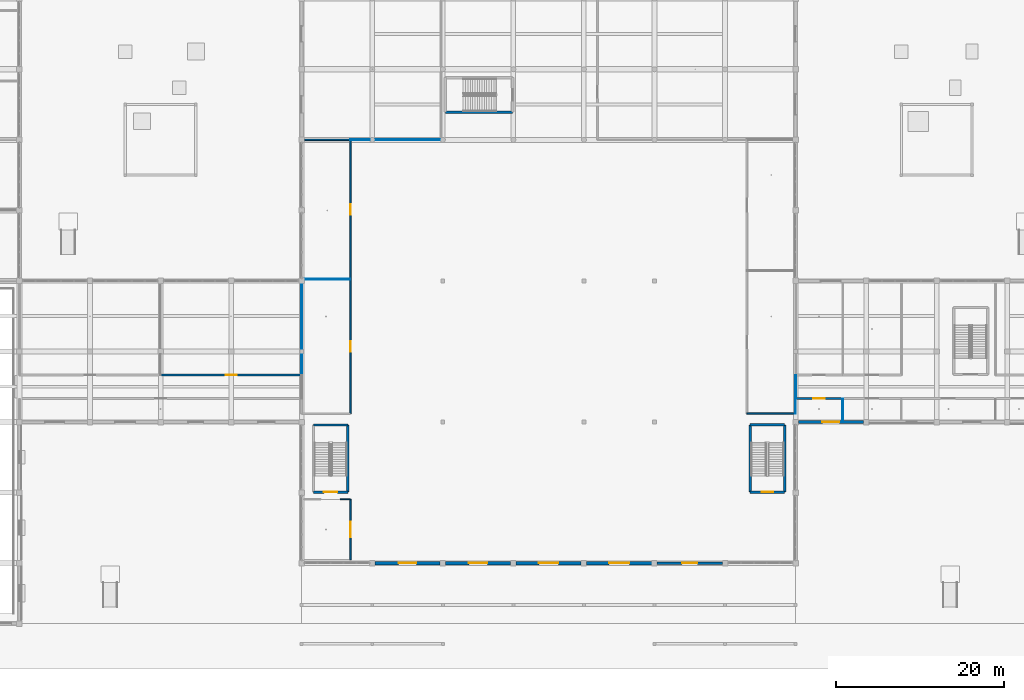
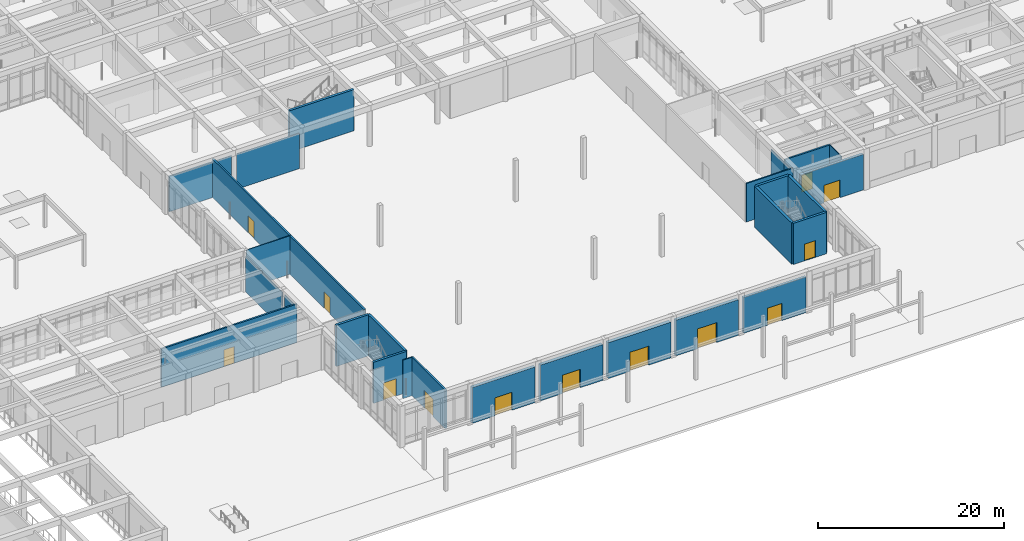
# One storey, part 63 of 167: 30 walls, 13 doors, 13 openings.
"""IFC4 building model written with IfcOpenShell, lengths in metres."""

from ifc_helpers import new_model, si_unit, direction, frame, frame_2d, origin, place, context, subcontext, project, spatial, rectangle, extrude, material, layer, layer_set, type_object, element, fill, save


model = new_model("IFC4")

# Units and contexts
model_context = context("Model", 3, precision=1e-05, world=origin(), true_north=direction((0.0, 1.0)))
body_context = subcontext(model_context, "Body", "Model", "MODEL_VIEW")
ifc_project = project(units=[si_unit("LENGTHUNIT", "METRE"), si_unit("AREAUNIT", "SQUARE_METRE"), si_unit("VOLUMEUNIT", "CUBIC_METRE"), si_unit("PLANEANGLEUNIT", "RADIAN"), si_unit("MASSUNIT", "GRAM", prefix="KILO")], contexts=[model_context])

# Site, building, storey
site_placement = place(None, origin())
site = spatial("IfcSite", under=ifc_project, at=site_placement, CompositionType="ELEMENT")
building_placement = place(site_placement, origin())
building = spatial("IfcBuilding", under=site, at=building_placement, Name="Varncliffe General Hospital", CompositionType="ELEMENT")
storey_placement = place(building_placement, origin())
storey = spatial("IfcBuildingStorey", under=building, at=storey_placement, Name="L00", CompositionType="ELEMENT", Elevation=0.0)

# Wall, opening, door
ifc_material_1 = material(Name="Precast concrete C40/50 with insulated cream lime-cement stucco", Category="concrete")
ifc_layer_1 = layer(ifc_material_1, 0.31005859375)
ifc_layer_set_1 = layer_set([ifc_layer_1], Name="Precast concrete C40/50 with insulated cream lime-cement stucco")
wall_type_1 = type_object("IfcWallType", Name="Exterior Insulated Stucco Wall EW20 (310mm)", PredefinedType="SOLIDWALL", material=ifc_layer_set_1)
wall_1_placement = place(storey_placement, frame((125.677001953125, 24.0, 0.0), z_axis=(0.0, 0.0, 1.0), x_axis=(-1.0, 0.0, 0.0)))
wall_1 = element("IfcWall", 1, at=wall_1_placement, inside=storey, type_object=wall_type_1, Name="L00 Exterior Stucco Wall EW20-61", PredefinedType="SOLIDWALL", context=body_context, shape_type="SweptSolid", body=[
    extrude(rectangle(XDim=7.75390625, YDim=0.31005859375, at=frame_2d((3.876953125, 0.0))), origin(), (0.0, 0.0, 1.0), 4.679931640625),
])
opening_1_placement = place(wall_1_placement, frame((2.876953125, 0.0, 0.0)))
opening_1 = element("IfcOpeningElement", 2, at=opening_1_placement, cuts=wall_1, Name="Opening DE53", PredefinedType="OPENING", context=body_context, shape_type="SweptSolid", body=[
    extrude(rectangle(XDim=2.0, YDim=2.300048828125, at=frame_2d((1.0, 1.14990234375))), frame((0.0, 0.1650390625, 0.0), z_axis=(0.0, -1.0, 0.0), x_axis=(1.0, 0.0, 0.0)), (0.0, 0.0, 1.0), 0.330078125),
])
ifc_material_2 = material(Name="Thermally broken bronze-anodized aluminium and safety glass door", Category="aluminium")
door_type_1 = type_object("IfcDoorType", Name="Exterior Pedestrian Door DE53 (2000x2300)", OperationType="NOTDEFINED", PredefinedType="DOOR", material=ifc_material_2)
door_1_placement = place(opening_1_placement, origin())
door_1 = element("IfcDoor", 3, at=door_1_placement, inside=storey, type_object=door_type_1, Name="Main Pedestrian Entrance and Final Exit Door FE-16", OperationType="DOUBLE_DOOR_SINGLE_SWING", OverallHeight=2.300048828125, OverallWidth=2.0, PredefinedType="DOOR", context=body_context, shape_type="SweptSolid", body=[
    extrude(rectangle(XDim=2.0, YDim=2.300048828125, at=frame_2d((1.0, 1.14990234375))), frame((0.0, 0.02490234375, 0.0), z_axis=(0.0, -1.0, 0.0), x_axis=(1.0, 0.0, 0.0)), (0.0, 0.0, 1.0), 0.050048828125),
])
fill(opening_1, door_1)

ifc_layer_2 = layer(ifc_material_1, 0.3798828125)
ifc_layer_set_2 = layer_set([ifc_layer_2], Name="Precast concrete C40/50 with insulated cream lime-cement stucco")
wall_type_2 = type_object("IfcWallType", Name="Exterior Insulated Stucco Wall EW26 (380mm)", PredefinedType="SOLIDWALL", material=ifc_layer_set_2)
wall_2_placement = place(storey_placement, frame((100.47705078125, 7.199951171875, 0.0), z_axis=(0.0, 0.0, 1.0), x_axis=(-1.0, 0.0, 0.0)))
wall_2 = element("IfcWall", 4, at=wall_2_placement, inside=storey, type_object=wall_type_2, Name="L00 Exterior Stucco Wall EW26-63", PredefinedType="SOLIDWALL", context=body_context, shape_type="SweptSolid", body=[
    extrude(rectangle(XDim=7.754150390625, YDim=0.3798828125, at=frame_2d((3.876953125, 0.0))), origin(), (0.0, 0.0, 1.0), 4.679931640625),
])
opening_2_placement = place(wall_2_placement, frame((2.677001953125, 0.0, 0.0)))
opening_2 = element("IfcOpeningElement", 5, at=opening_2_placement, cuts=wall_2, Name="Opening DE17", PredefinedType="OPENING", context=body_context, shape_type="SweptSolid", body=[
    extrude(rectangle(XDim=2.39990234375, YDim=2.60009765625, at=frame_2d((1.199951171875, 1.300048828125))), frame((0.0, 0.199951171875, 0.0), z_axis=(0.0, -1.0, 0.0), x_axis=(1.0, 0.0, 0.0)), (0.0, 0.0, 1.0), 0.39990234375),
])
door_type_2 = type_object("IfcDoorType", Name="Exterior Pedestrian Door DE17 (2400x2600)", OperationType="NOTDEFINED", PredefinedType="DOOR", material=ifc_material_2)
door_2_placement = place(opening_2_placement, origin())
door_2 = element("IfcDoor", 6, at=door_2_placement, inside=storey, type_object=door_type_2, Name="Main Pedestrian Entrance and Final Exit Door FE-18", OperationType="DOUBLE_DOOR_SINGLE_SWING", OverallHeight=2.60009765625, OverallWidth=2.39990234375, PredefinedType="DOOR", context=body_context, shape_type="SweptSolid", body=[
    extrude(rectangle(XDim=2.39990234375, YDim=2.60009765625, at=frame_2d((1.199951171875, 1.300048828125))), frame((0.0, 0.02490234375, 0.0), z_axis=(0.0, -1.0, 0.0), x_axis=(1.0, 0.0, 0.0)), (0.0, 0.0, 1.0), 0.050048828125),
])
fill(opening_2, door_2)

wall_3_placement = place(storey_placement, frame((75.277099609375, 7.199951171875, 0.0), z_axis=(0.0, 0.0, 1.0), x_axis=(-1.0, 0.0, 0.0)))
wall_3 = element("IfcWall", 7, at=wall_3_placement, inside=storey, type_object=wall_type_2, Name="L00 Exterior Stucco Wall EW26-66", PredefinedType="SOLIDWALL", context=body_context, shape_type="SweptSolid", body=[
    extrude(rectangle(XDim=7.754150390625, YDim=0.3798828125, at=frame_2d((3.876953125, 0.0))), origin(), (0.0, 0.0, 1.0), 4.679931640625),
])
opening_3_placement = place(wall_3_placement, frame((2.826904296875, 0.0, 0.0)))
opening_3 = element("IfcOpeningElement", 8, at=opening_3_placement, cuts=wall_3, Name="Opening DE44", PredefinedType="OPENING", context=body_context, shape_type="SweptSolid", body=[
    extrude(rectangle(XDim=2.10009765625, YDim=2.35009765625, at=frame_2d((1.050048828125, 1.175048828125))), frame((0.0, 0.199951171875, 0.0), z_axis=(0.0, -1.0, 0.0), x_axis=(1.0, 0.0, 0.0)), (0.0, 0.0, 1.0), 0.39990234375),
])
door_type_3 = type_object("IfcDoorType", Name="Exterior Pedestrian Door DE44 (2100x2350)", OperationType="NOTDEFINED", PredefinedType="DOOR", material=ifc_material_2)
door_3_placement = place(opening_3_placement, origin())
door_3 = element("IfcDoor", 9, at=door_3_placement, inside=storey, type_object=door_type_3, Name="Main Pedestrian Entrance and Final Exit Door FE-21", OperationType="DOUBLE_DOOR_SINGLE_SWING", OverallHeight=2.35009765625, OverallWidth=2.10009765625, PredefinedType="DOOR", context=body_context, shape_type="SweptSolid", body=[
    extrude(rectangle(XDim=2.10009765625, YDim=2.35009765625, at=frame_2d((1.050048828125, 1.175048828125))), frame((0.0, 0.02490234375, 0.0), z_axis=(0.0, -1.0, 0.0), x_axis=(1.0, 0.0, 0.0)), (0.0, 0.0, 1.0), 0.050048828125),
])
fill(opening_3, door_3)

ifc_layer_3 = layer(ifc_material_1, 0.2900390625)
ifc_layer_set_3 = layer_set([ifc_layer_3], Name="Precast concrete C40/50 with insulated cream lime-cement stucco")
wall_type_3 = type_object("IfcWallType", Name="Exterior Insulated Stucco Wall EW31 (290mm)", PredefinedType="SOLIDWALL", material=ifc_layer_set_3)
wall_4_placement = place(storey_placement, frame((108.876953125, 7.199951171875, 0.0), z_axis=(0.0, 0.0, 1.0), x_axis=(-1.0, 0.0, 0.0)))
wall_4 = element("IfcWall", 10, at=wall_4_placement, inside=storey, type_object=wall_type_3, Name="L00 Exterior Stucco Wall EW31-62", PredefinedType="SOLIDWALL", context=body_context, shape_type="SweptSolid", body=[
    extrude(rectangle(XDim=7.75390625, YDim=0.2900390625, at=frame_2d((3.876953125, 0.0))), origin(), (0.0, 0.0, 1.0), 4.679931640625),
])
opening_4_placement = place(wall_4_placement, frame((2.97705078125, 0.0, 0.0)))
opening_4 = element("IfcOpeningElement", 11, at=opening_4_placement, cuts=wall_4, Name="Opening DE28", PredefinedType="OPENING", context=body_context, shape_type="SweptSolid", body=[
    extrude(rectangle(XDim=1.800048828125, YDim=2.25, at=frame_2d((0.89990234375, 1.125))), frame((0.0, 0.155029296875, 0.0), z_axis=(0.0, -1.0, 0.0), x_axis=(1.0, 0.0, 0.0)), (0.0, 0.0, 1.0), 0.31005859375),
])
door_type_4 = type_object("IfcDoorType", Name="Exterior Pedestrian Door DE28 (1800x2250)", OperationType="NOTDEFINED", PredefinedType="DOOR", material=ifc_material_2)
door_4_placement = place(opening_4_placement, origin())
door_4 = element("IfcDoor", 12, at=door_4_placement, inside=storey, type_object=door_type_4, Name="Main Pedestrian Entrance and Final Exit Door FE-17", OperationType="DOUBLE_DOOR_SINGLE_SWING", OverallHeight=2.25, OverallWidth=1.800048828125, PredefinedType="DOOR", context=body_context, shape_type="SweptSolid", body=[
    extrude(rectangle(XDim=1.800048828125, YDim=2.25, at=frame_2d((0.89990234375, 1.125))), frame((0.0, 0.02490234375, 0.0), z_axis=(0.0, -1.0, 0.0), x_axis=(1.0, 0.0, 0.0)), (0.0, 0.0, 1.0), 0.050048828125),
])
fill(opening_4, door_4)

ifc_material_3 = material(Name="Concrete C40/50 (CSA A23.1 40 MPa)", Category="concrete")
ifc_layer_4 = layer(ifc_material_3, 0.449951171875)
ifc_layer_set_4 = layer_set([ifc_layer_4], Name="Concrete C40/50 (CSA A23.1 40 MPa)")
wall_type_4 = type_object("IfcWallType", Name="Exterior Insulated Stucco Wall EW36 (450mm)", PredefinedType="SOLIDWALL", material=ifc_layer_set_4)
wall_5_placement = place(storey_placement, frame((92.076904296875, 7.199951171875, 0.0), z_axis=(0.0, 0.0, 1.0), x_axis=(-1.0, 0.0, 0.0)))
wall_5 = element("IfcWall", 13, at=wall_5_placement, inside=storey, type_object=wall_type_4, Name="L00 Exterior Stucco Wall EW36-64", PredefinedType="SOLIDWALL", context=body_context, shape_type="SweptSolid", body=[
    extrude(rectangle(XDim=7.75390625, YDim=0.449951171875, at=frame_2d((3.876953125, 0.0))), origin(), (0.0, 0.0, 1.0), 4.679931640625),
])
opening_5_placement = place(wall_5_placement, frame((2.72705078125, 0.0, 0.0)))
opening_5 = element("IfcOpeningElement", 14, at=opening_5_placement, cuts=wall_5, Name="Opening DE14", PredefinedType="OPENING", context=body_context, shape_type="SweptSolid", body=[
    extrude(rectangle(XDim=2.300048828125, YDim=2.5, at=frame_2d((1.14990234375, 1.25))), frame((0.0, 0.23486328125, 0.0), z_axis=(0.0, -1.0, 0.0), x_axis=(1.0, 0.0, 0.0)), (0.0, 0.0, 1.0), 0.469970703125),
])
door_type_5 = type_object("IfcDoorType", Name="Exterior Pedestrian Door DE14 (2300x2500)", OperationType="NOTDEFINED", PredefinedType="DOOR", material=ifc_material_2)
door_5_placement = place(opening_5_placement, origin())
door_5 = element("IfcDoor", 15, at=door_5_placement, inside=storey, type_object=door_type_5, Name="Main Pedestrian Entrance and Final Exit Door FE-19", OperationType="DOUBLE_DOOR_SINGLE_SWING", OverallHeight=2.5, OverallWidth=2.300048828125, PredefinedType="DOOR", context=body_context, shape_type="SweptSolid", body=[
    extrude(rectangle(XDim=2.300048828125, YDim=2.5, at=frame_2d((1.14990234375, 1.25))), frame((0.0, 0.02490234375, 0.0), z_axis=(0.0, -1.0, 0.0), x_axis=(1.0, 0.0, 0.0)), (0.0, 0.0, 1.0), 0.050048828125),
])
fill(opening_5, door_5)

ifc_layer_5 = layer(ifc_material_1, 0.39990234375)
ifc_layer_set_5 = layer_set([ifc_layer_5], Name="Precast concrete C40/50 with insulated cream lime-cement stucco")
wall_type_5 = type_object("IfcWallType", Name="Exterior Insulated Stucco Wall EW47 (400mm)", PredefinedType="SOLIDWALL", material=ifc_layer_set_5)
wall_6_placement = place(storey_placement, frame((83.677001953125, 7.199951171875, 0.0), z_axis=(0.0, 0.0, 1.0), x_axis=(-1.0, 0.0, 0.0)))
wall_6 = element("IfcWall", 16, at=wall_6_placement, inside=storey, type_object=wall_type_5, Name="L00 Exterior Stucco Wall EW47-65", PredefinedType="SOLIDWALL", context=body_context, shape_type="SweptSolid", body=[
    extrude(rectangle(XDim=7.75390625, YDim=0.39990234375, at=frame_2d((3.876953125, 0.0))), origin(), (0.0, 0.0, 1.0), 4.679931640625),
])
opening_6_placement = place(wall_6_placement, frame((2.777099609375, 0.0, 0.0)))
opening_6 = element("IfcOpeningElement", 17, at=opening_6_placement, cuts=wall_6, Name="Opening DE27", PredefinedType="OPENING", context=body_context, shape_type="SweptSolid", body=[
    extrude(rectangle(XDim=2.199951171875, YDim=2.39990234375, at=frame_2d((1.10009765625, 1.199951171875))), frame((0.0, 0.2099609375, 0.0), z_axis=(0.0, -1.0, 0.0), x_axis=(1.0, 0.0, 0.0)), (0.0, 0.0, 1.0), 0.419921875),
])
door_type_6 = type_object("IfcDoorType", Name="Exterior Pedestrian Door DE27 (2200x2400)", OperationType="NOTDEFINED", PredefinedType="DOOR", material=ifc_material_2)
door_6_placement = place(opening_6_placement, origin())
door_6 = element("IfcDoor", 18, at=door_6_placement, inside=storey, type_object=door_type_6, Name="Main Pedestrian Entrance and Final Exit Door FE-20", OperationType="DOUBLE_DOOR_SINGLE_SWING", OverallHeight=2.39990234375, OverallWidth=2.199951171875, PredefinedType="DOOR", context=body_context, shape_type="SweptSolid", body=[
    extrude(rectangle(XDim=2.199951171875, YDim=2.39990234375, at=frame_2d((1.10009765625, 1.199951171875))), frame((0.0, 0.02490234375, 0.0), z_axis=(0.0, -1.0, 0.0), x_axis=(1.0, 0.0, 0.0)), (0.0, 0.0, 1.0), 0.050048828125),
])
fill(opening_6, door_6)

# Walls
ifc_material_4 = material(Name="Acoustic clinical gypsum stud partition assembly", Category="gypsum")
ifc_layer_6 = layer(ifc_material_4, 0.1298828125)
ifc_layer_set_6 = layer_set([ifc_layer_6], Name="Acoustic clinical gypsum stud partition assembly")
wall_type_6 = type_object("IfcWallType", Name="Interior Partitioning IW11 (130mm)", PredefinedType="PARTITIONING", material=ifc_layer_set_6)
wall_7_placement = place(storey_placement, frame((63.415283203125, 14.800048828125, 0.0), z_axis=(0.0, 0.0, 1.0), x_axis=(1.0, 0.0, 0.0)))
element("IfcWall", 19, at=wall_7_placement, inside=storey, type_object=wall_type_6, Name="L00 Interior Partition Wall IW11-74", PredefinedType="PARTITIONING", context=body_context, shape_type="SweptSolid", body=[
    extrude(rectangle(XDim=1.184814453125, YDim=0.1298828125, at=frame_2d((0.59228515625, 0.0))), origin(), (0.0, 0.0, 1.0), 5.0400390625),
])
ifc_layer_7 = layer(ifc_material_4, 0.169921875)
ifc_layer_set_7 = layer_set([ifc_layer_7], Name="Acoustic clinical gypsum stud partition assembly")
wall_type_7 = type_object("IfcWallType", Name="Interior Partitioning IW20 (170mm)", PredefinedType="PARTITIONING", material=ifc_layer_set_7)
wall_8_placement = place(storey_placement, frame((111.800048828125, 25.0, 0.0), z_axis=(0.0, 0.0, 1.0), x_axis=(1.0, 0.0, 0.0)))
element("IfcWall", 20, at=wall_8_placement, inside=storey, type_object=wall_type_7, Name="L00 Interior Partition Wall IW20-80", PredefinedType="PARTITIONING", context=body_context, shape_type="SweptSolid", body=[
    extrude(rectangle(XDim=5.800048828125, YDim=0.169921875, at=frame_2d((2.89990234375, 0.0))), origin(), (0.0, 0.0, 1.0), 5.0400390625),
])
wall_9_placement = place(storey_placement, frame((59.139892578125, 57.60009765625, 0.0), z_axis=(0.0, 0.0, 1.0), x_axis=(1.0, 0.0, 0.0)))
element("IfcWall", 21, at=wall_9_placement, inside=storey, type_object=wall_type_7, Name="L00 Interior Partition Wall IW20-110", PredefinedType="PARTITIONING", context=body_context, shape_type="SweptSolid", body=[
    extrude(rectangle(XDim=5.460205078125, YDim=0.169921875, at=frame_2d((2.72998046875, 0.0))), origin(), (0.0, 0.0, 1.0), 4.635009765625),
])
ifc_layer_8 = layer(ifc_material_4, 0.090087890625)
ifc_layer_set_8 = layer_set([ifc_layer_8], Name="Acoustic clinical gypsum stud partition assembly")
wall_type_8 = type_object("IfcWallType", Name="Interior Partitioning IW42 (90mm)", PredefinedType="PARTITIONING", material=ifc_layer_set_8)
wall_10_placement = place(storey_placement, frame((59.139892578125, 41.0, 0.0), z_axis=(0.0, 0.0, 1.0), x_axis=(1.0, 0.0, 0.0)))
element("IfcWall", 22, at=wall_10_placement, inside=storey, type_object=wall_type_8, Name="L00 Interior Partition Wall IW42-101", PredefinedType="PARTITIONING", context=body_context, shape_type="SweptSolid", body=[
    extrude(rectangle(XDim=5.460205078125, YDim=0.090087890625, at=frame_2d((2.72998046875, 0.0))), origin(), (0.0, 0.0, 1.0), 5.0400390625),
])
wall_11_placement = place(storey_placement, frame((67.514892578125, 57.60009765625, 0.0), z_axis=(0.0, 0.0, 1.0), x_axis=(1.0, 0.0, 0.0)))
element("IfcWall", 23, at=wall_11_placement, inside=storey, type_object=wall_type_8, Name="L00 Interior Partition Wall IW42-111", PredefinedType="PARTITIONING", context=body_context, shape_type="SweptSolid", body=[
    extrude(rectangle(XDim=7.77001953125, YDim=0.090087890625, at=frame_2d((3.885009765625, 0.0))), origin(), (0.0, 0.0, 1.0), 4.635009765625),
])
wall_12_placement = place(storey_placement, frame((64.60009765625, 57.60009765625, 0.0), z_axis=(0.0, 0.0, 1.0), x_axis=(1.0, 0.0, 0.0)))
element("IfcWall", 24, at=wall_12_placement, inside=storey, type_object=wall_type_8, Name="L00 Interior Partition Wall IW42-112", PredefinedType="PARTITIONING", context=body_context, shape_type="SweptSolid", body=[
    extrude(rectangle(XDim=2.284912109375, YDim=0.090087890625, at=frame_2d((1.142578125, 0.0))), origin(), (0.0, 0.0, 1.0), 4.635009765625),
])
wall_13_placement = place(storey_placement, frame((117.60009765625, 25.0, 0.0), z_axis=(0.0, 0.0, 1.0), x_axis=(0.0, 1.0, 0.0)))
element("IfcWall", 25, at=wall_13_placement, inside=storey, type_object=wall_type_8, Name="L00 Interior Partition Wall IW42-356", PredefinedType="PARTITIONING", context=body_context, shape_type="SweptSolid", body=[
    extrude(rectangle(XDim=1.800048828125, YDim=0.090087890625, at=frame_2d((0.89990234375, 0.0))), origin(), (0.0, 0.0, 1.0), 4.68505859375),
])
ifc_layer_9 = layer(ifc_material_4, 0.110107421875)
ifc_layer_set_9 = layer_set([ifc_layer_9], Name="Acoustic clinical gypsum stud partition assembly")
wall_type_9 = type_object("IfcWallType", Name="Interior Partitioning IW65 (110mm)", PredefinedType="PARTITIONING", material=ifc_layer_set_9)
wall_14_placement = place(storey_placement, frame((58.800048828125, 32.639892578125, 0.0), z_axis=(0.0, 0.0, 1.0), x_axis=(0.0, 1.0, 0.0)))
element("IfcWall", 26, at=wall_14_placement, inside=storey, type_object=wall_type_9, Name="L00 Interior Partition Wall IW65-317", PredefinedType="PARTITIONING", context=body_context, shape_type="SweptSolid", body=[
    extrude(rectangle(XDim=7.820068359375, YDim=0.110107421875, at=frame_2d((3.91015625, 0.0))), origin(), (0.0, 0.0, 1.0), 4.68505859375),
])
wall_15_placement = place(storey_placement, frame((58.800048828125, 29.60009765625, 0.0), z_axis=(0.0, 0.0, 1.0), x_axis=(0.0, 1.0, 0.0)))
element("IfcWall", 27, at=wall_15_placement, inside=storey, type_object=wall_type_9, Name="L00 Interior Partition Wall IW65-318", PredefinedType="PARTITIONING", context=body_context, shape_type="SweptSolid", body=[
    extrude(rectangle(XDim=2.559814453125, YDim=0.110107421875, at=frame_2d((1.27978515625, 0.0))), origin(), (0.0, 0.0, 1.0), 4.68505859375),
])
wall_16_placement = place(storey_placement, frame((117.60009765625, 26.800048828125, 0.0), z_axis=(0.0, 0.0, 1.0), x_axis=(0.0, 1.0, 0.0)))
element("IfcWall", 28, at=wall_16_placement, inside=storey, type_object=wall_type_9, Name="L00 Interior Partition Wall IW65-357", PredefinedType="PARTITIONING", context=body_context, shape_type="SweptSolid", body=[
    extrude(rectangle(XDim=2.800048828125, YDim=0.110107421875, at=frame_2d((1.39990234375, 0.0))), origin(), (0.0, 0.0, 1.0), 4.68505859375),
])
wall_17_placement = place(storey_placement, frame((123.199951171875, 24.260009765625, 0.0), z_axis=(0.0, 0.0, 1.0), x_axis=(0.0, 1.0, 0.0)))
element("IfcWall", 29, at=wall_17_placement, inside=storey, type_object=wall_type_9, Name="L00 Interior Partition Wall IW65-362", PredefinedType="PARTITIONING", context=body_context, shape_type="SweptSolid", body=[
    extrude(rectangle(XDim=2.5400390625, YDim=0.110107421875, at=frame_2d((1.27001953125, 0.0))), origin(), (0.0, 0.0, 1.0), 5.0400390625),
])

# Wall, opening, door
ifc_material_5 = material(Name="Fire-rated gypsum and mineral-wool partition assembly", Category="gypsum")
ifc_layer_10 = layer(ifc_material_5, 0.199951171875)
ifc_layer_set_10 = layer_set([ifc_layer_10], Name="Fire-rated gypsum and mineral-wool partition assembly")
wall_type_10 = type_object("IfcWallType", Name="Interior Partitioning PW63 (200mm)", PredefinedType="PARTITIONING", material=ifc_layer_set_10)
wall_18_placement = place(storey_placement, frame((117.60009765625, 26.800048828125, 0.0), z_axis=(0.0, 0.0, 1.0), x_axis=(1.0, 0.0, 0.0)))
wall_18 = element("IfcWall", 30, at=wall_18_placement, inside=storey, type_object=wall_type_10, Name="L00 Interior Partition Wall PW63-82", PredefinedType="PARTITIONING", context=body_context, shape_type="SweptSolid", body=[
    extrude(rectangle(XDim=5.599853515625, YDim=0.199951171875, at=frame_2d((2.7998046875, 0.0))), origin(), (0.0, 0.0, 1.0), 5.0400390625),
])
opening_7_placement = place(wall_18_placement, frame((2.125, 0.0, 0.0)))
opening_7 = element("IfcOpeningElement", 31, at=opening_7_placement, cuts=wall_18, Name="Opening DC85", PredefinedType="OPENING", context=body_context, shape_type="SweptSolid", body=[
    extrude(rectangle(XDim=1.35009765625, YDim=2.199951171875, at=frame_2d((0.675048828125, 1.10009765625))), frame((0.0, 0.10986328125, 0.0), z_axis=(0.0, -1.0, 0.0), x_axis=(1.0, 0.0, 0.0)), (0.0, 0.0, 1.0), 0.219970703125),
])
ifc_material_6 = material(Name="Fire-rated hospital steel-frame vision-panel door", Category="steel")
door_type_7 = type_object("IfcDoorType", Name="Interior Hospital Door DC85 (1350x2200)", OperationType="NOTDEFINED", PredefinedType="DOOR", material=ifc_material_6)
door_7_placement = place(opening_7_placement, frame((1.35009765625, 0.0, 0.0), z_axis=(0.0, 0.0, 1.0), x_axis=(-1.0, 0.0, 0.0)))
door_7 = element("IfcDoor", 32, at=door_7_placement, inside=storey, type_object=door_type_7, Name="L00 Outpatient Consultation and Exam Clinic 109 Door", OperationType="SINGLE_SWING_RIGHT", OverallHeight=2.199951171875, OverallWidth=1.35009765625, PredefinedType="DOOR", context=body_context, shape_type="SweptSolid", body=[
    extrude(rectangle(XDim=1.35009765625, YDim=2.199951171875, at=frame_2d((0.675048828125, 1.10009765625))), frame((0.0, 0.02490234375, 0.0), z_axis=(0.0, -1.0, 0.0), x_axis=(1.0, 0.0, 0.0)), (0.0, 0.0, 1.0), 0.050048828125),
])
fill(opening_7, door_7)

wall_19_placement = place(storey_placement, frame((42.0, 29.60009765625, 0.0), z_axis=(0.0, 0.0, 1.0), x_axis=(1.0, 0.0, 0.0)))
wall_19 = element("IfcWall", 33, at=wall_19_placement, inside=storey, type_object=wall_type_10, Name="L00 Interior Partition Wall PW63-90", PredefinedType="PARTITIONING", context=body_context, shape_type="SweptSolid", body=[
    extrude(rectangle(XDim=16.800048828125, YDim=0.199951171875, at=frame_2d((8.39990234375, 0.0))), origin(), (0.0, 0.0, 1.0), 5.0400390625),
])
opening_8_placement = place(wall_19_placement, frame((7.75, 0.0, 0.0)))
opening_8 = element("IfcOpeningElement", 34, at=opening_8_placement, cuts=wall_19, Name="Opening DC88", PredefinedType="OPENING", context=body_context, shape_type="SweptSolid", body=[
    extrude(rectangle(XDim=1.300048828125, YDim=2.199951171875, at=frame_2d((0.64990234375, 1.10009765625))), frame((0.0, 0.10986328125, 0.0), z_axis=(0.0, -1.0, 0.0), x_axis=(1.0, 0.0, 0.0)), (0.0, 0.0, 1.0), 0.219970703125),
])
door_type_8 = type_object("IfcDoorType", Name="Interior Hospital Door DC88 (1300x2200)", OperationType="NOTDEFINED", PredefinedType="DOOR", material=ifc_material_6)
door_8_placement = place(opening_8_placement, origin())
door_8 = element("IfcDoor", 35, at=door_8_placement, inside=storey, type_object=door_type_8, Name="L00 Emergency Acute Treatment Cubicles Door", OperationType="SINGLE_SWING_RIGHT", OverallHeight=2.199951171875, OverallWidth=1.300048828125, PredefinedType="DOOR", context=body_context, shape_type="SweptSolid", body=[
    extrude(rectangle(XDim=1.300048828125, YDim=2.199951171875, at=frame_2d((0.64990234375, 1.10009765625))), frame((0.0, 0.02490234375, 0.0), z_axis=(0.0, -1.0, 0.0), x_axis=(1.0, 0.0, 0.0)), (0.0, 0.0, 1.0), 0.050048828125),
])
fill(opening_8, door_8)

wall_20_placement = place(storey_placement, frame((64.60009765625, 7.60009765625, 0.0), z_axis=(0.0, 0.0, 1.0), x_axis=(0.0, 1.0, 0.0)))
wall_20 = element("IfcWall", 36, at=wall_20_placement, inside=storey, type_object=wall_type_10, Name="L00 Interior Partition Wall PW63-324", PredefinedType="PARTITIONING", context=body_context, shape_type="SweptSolid", body=[
    extrude(rectangle(XDim=7.199951171875, YDim=0.199951171875, at=frame_2d((3.60009765625, 0.0))), origin(), (0.0, 0.0, 1.0), 5.0400390625),
])
opening_9_placement = place(wall_20_placement, frame((2.675048828125, 0.0, 0.0)))
opening_9 = element("IfcOpeningElement", 37, at=opening_9_placement, cuts=wall_20, Name="Opening DC38", PredefinedType="OPENING", context=body_context, shape_type="SweptSolid", body=[
    extrude(rectangle(XDim=1.85009765625, YDim=2.300048828125, at=frame_2d((0.925048828125, 1.14990234375))), frame((0.0, 0.10986328125, 0.0), z_axis=(0.0, -1.0, 0.0), x_axis=(1.0, 0.0, 0.0)), (0.0, 0.0, 1.0), 0.219970703125),
])
door_type_9 = type_object("IfcDoorType", Name="Interior Hospital Door DC38 (1850x2300)", OperationType="NOTDEFINED", PredefinedType="DOOR", material=ifc_material_6)
door_9_placement = place(opening_9_placement, origin())
door_9 = element("IfcDoor", 38, at=door_9_placement, inside=storey, type_object=door_type_9, Name="L00 Fire Command Centre Door", OperationType="SINGLE_SWING_RIGHT", OverallHeight=2.300048828125, OverallWidth=1.85009765625, PredefinedType="DOOR", context=body_context, shape_type="SweptSolid", body=[
    extrude(rectangle(XDim=1.85009765625, YDim=2.300048828125, at=frame_2d((0.925048828125, 1.14990234375))), frame((0.0, 0.02490234375, 0.0), z_axis=(0.0, -1.0, 0.0), x_axis=(1.0, 0.0, 0.0)), (0.0, 0.0, 1.0), 0.050048828125),
])
fill(opening_9, door_9)

wall_21_placement = place(storey_placement, frame((64.60009765625, 25.0, 0.0), z_axis=(0.0, 0.0, 1.0), x_axis=(0.0, 1.0, 0.0)))
wall_21 = element("IfcWall", 39, at=wall_21_placement, inside=storey, type_object=wall_type_10, Name="L00 Interior Partition Wall PW63-325", PredefinedType="PARTITIONING", context=body_context, shape_type="SweptSolid", body=[
    extrude(rectangle(XDim=16.0, YDim=0.199951171875, at=frame_2d((8.0, 0.0))), origin(), (0.0, 0.0, 1.0), 5.0400390625),
])
opening_10_placement = place(wall_21_placement, frame((7.375, 0.0, 0.0)))
opening_10 = element("IfcOpeningElement", 40, at=opening_10_placement, cuts=wall_21, Name="Opening DC44", PredefinedType="OPENING", context=body_context, shape_type="SweptSolid", body=[
    extrude(rectangle(XDim=1.25, YDim=2.14990234375, at=frame_2d((0.625, 1.074951171875))), frame((0.0, 0.10986328125, 0.0), z_axis=(0.0, -1.0, 0.0), x_axis=(1.0, 0.0, 0.0)), (0.0, 0.0, 1.0), 0.219970703125),
])
door_type_10 = type_object("IfcDoorType", Name="Interior Hospital Door DC44 (1250x2150)", OperationType="NOTDEFINED", PredefinedType="DOOR", material=ifc_material_6)
door_10_placement = place(opening_10_placement, origin())
door_10 = element("IfcDoor", 41, at=door_10_placement, inside=storey, type_object=door_type_10, Name="L00 Patient Admissions and Registration Suite Door", OperationType="SINGLE_SWING_LEFT", OverallHeight=2.14990234375, OverallWidth=1.25, PredefinedType="DOOR", context=body_context, shape_type="SweptSolid", body=[
    extrude(rectangle(XDim=1.25, YDim=2.14990234375, at=frame_2d((0.625, 1.074951171875))), frame((0.0, 0.02490234375, 0.0), z_axis=(0.0, -1.0, 0.0), x_axis=(1.0, 0.0, 0.0)), (0.0, 0.0, 1.0), 0.050048828125),
])
fill(opening_10, door_10)

wall_22_placement = place(storey_placement, frame((64.60009765625, 41.0, 0.0), z_axis=(0.0, 0.0, 1.0), x_axis=(0.0, 1.0, 0.0)))
wall_22 = element("IfcWall", 42, at=wall_22_placement, inside=storey, type_object=wall_type_10, Name="L00 Interior Partition Wall PW63-326", PredefinedType="PARTITIONING", context=body_context, shape_type="SweptSolid", body=[
    extrude(rectangle(XDim=16.60009765625, YDim=0.199951171875, at=frame_2d((8.300048828125, 0.0))), origin(), (0.0, 0.0, 1.0), 5.0400390625),
])
opening_11_placement = place(wall_22_placement, frame((7.64990234375, 0.0, 0.0)))
opening_11 = element("IfcOpeningElement", 43, at=opening_11_placement, cuts=wall_22, Name="Opening DC88", PredefinedType="OPENING", context=body_context, shape_type="SweptSolid", body=[
    extrude(rectangle(XDim=1.300048828125, YDim=2.199951171875, at=frame_2d((0.64990234375, 1.10009765625))), frame((0.0, 0.10986328125, 0.0), z_axis=(0.0, -1.0, 0.0), x_axis=(1.0, 0.0, 0.0)), (0.0, 0.0, 1.0), 0.219970703125),
])
door_11_placement = place(opening_11_placement, origin())
door_11 = element("IfcDoor", 44, at=door_11_placement, inside=storey, type_object=door_type_8, Name="L00 Outpatient Retail Pharmacy Door", OperationType="SINGLE_SWING_RIGHT", OverallHeight=2.199951171875, OverallWidth=1.300048828125, PredefinedType="DOOR", context=body_context, shape_type="SweptSolid", body=[
    extrude(rectangle(XDim=1.300048828125, YDim=2.199951171875, at=frame_2d((0.64990234375, 1.10009765625))), frame((0.0, 0.02490234375, 0.0), z_axis=(0.0, -1.0, 0.0), x_axis=(1.0, 0.0, 0.0)), (0.0, 0.0, 1.0), 0.050048828125),
])
fill(opening_11, door_11)

# Walls
ifc_layer_11 = layer(ifc_material_3, 0.300048828125)
ifc_layer_set_11 = layer_set([ifc_layer_11], Name="Concrete C40/50 (CSA A23.1 40 MPa)")
wall_type_11 = type_object("IfcWallType", Name="Reinforced Concrete Core Shear Wall CW12 (300mm)", PredefinedType="SHEAR", material=ifc_layer_set_11)
wall_23_placement = place(storey_placement, frame((116.300048828125, 15.64990234375, 0.0), z_axis=(0.0, 0.0, 1.0), x_axis=(0.0, 1.0, 0.0)))
element("IfcWall", 45, at=wall_23_placement, inside=storey, type_object=wall_type_11, Name="L00 ST10 Core Shear Wall L", PredefinedType="SHEAR", context=body_context, shape_type="SweptSolid", body=[
    extrude(rectangle(XDim=8.0, YDim=0.300048828125, at=frame_2d((4.0, 0.0))), origin(), (0.0, 0.0, 1.0), 5.39990234375),
])
wall_24_placement = place(storey_placement, frame((116.300048828125, 23.64990234375, 0.0), z_axis=(0.0, 0.0, 1.0), x_axis=(-1.0, 0.0, 0.0)))
element("IfcWall", 46, at=wall_24_placement, inside=storey, type_object=wall_type_11, Name="L00 ST10 Core Shear Wall F", PredefinedType="SHEAR", context=body_context, shape_type="SweptSolid", body=[
    extrude(rectangle(XDim=4.10009765625, YDim=0.300048828125, at=frame_2d((2.050048828125, 0.0))), origin(), (0.0, 0.0, 1.0), 5.39990234375),
])
wall_25_placement = place(storey_placement, frame((112.199951171875, 23.64990234375, 0.0), z_axis=(0.0, 0.0, 1.0), x_axis=(0.0, -1.0, 0.0)))
element("IfcWall", 47, at=wall_25_placement, inside=storey, type_object=wall_type_11, Name="L00 ST10 Core Shear Wall R", PredefinedType="SHEAR", context=body_context, shape_type="SweptSolid", body=[
    extrude(rectangle(XDim=8.0, YDim=0.300048828125, at=frame_2d((4.0, 0.0))), origin(), (0.0, 0.0, 1.0), 5.39990234375),
])

# Wall, opening, door
wall_26_placement = place(storey_placement, frame((112.199951171875, 15.64990234375, 0.0), z_axis=(0.0, 0.0, 1.0), x_axis=(1.0, 0.0, 0.0)))
wall_26 = element("IfcWall", 48, at=wall_26_placement, inside=storey, type_object=wall_type_11, Name="L00 ST10 Core Shear Wall N", PredefinedType="SHEAR", context=body_context, shape_type="SweptSolid", body=[
    extrude(rectangle(XDim=4.10009765625, YDim=0.300048828125, at=frame_2d((2.050048828125, 0.0))), origin(), (0.0, 0.0, 1.0), 5.39990234375),
])
opening_12_placement = place(wall_26_placement, frame((1.35009765625, 0.0, 0.0)))
opening_12 = element("IfcOpeningElement", 49, at=opening_12_placement, cuts=wall_26, Name="Opening DF81", PredefinedType="OPENING", context=body_context, shape_type="SweptSolid", body=[
    extrude(rectangle(XDim=1.39990234375, YDim=2.199951171875, at=frame_2d((0.699951171875, 1.10009765625))), frame((0.0, 0.16015625, 0.0), z_axis=(0.0, -1.0, 0.0), x_axis=(1.0, 0.0, 0.0)), (0.0, 0.0, 1.0), 0.320068359375),
])
door_type_11 = type_object("IfcDoorType", Name="Interior Hospital Door DF81 (1400x2200)", OperationType="NOTDEFINED", PredefinedType="DOOR", material=ifc_material_6)
door_12_placement = place(opening_12_placement, origin())
door_12 = element("IfcDoor", 50, at=door_12_placement, inside=storey, type_object=door_type_11, Name="L00 ST10 Protected Exit Stair Door", OperationType="SINGLE_SWING_LEFT", OverallHeight=2.199951171875, OverallWidth=1.39990234375, PredefinedType="DOOR", context=body_context, shape_type="SweptSolid", body=[
    extrude(rectangle(XDim=1.39990234375, YDim=2.199951171875, at=frame_2d((0.699951171875, 1.10009765625))), frame((0.0, 0.02490234375, 0.0), z_axis=(0.0, -1.0, 0.0), x_axis=(1.0, 0.0, 0.0)), (0.0, 0.0, 1.0), 0.050048828125),
])
fill(opening_12, door_12)

# Walls
wall_27_placement = place(storey_placement, frame((75.89990234375, 60.89990234375, 0.0), z_axis=(0.0, 0.0, 1.0), x_axis=(1.0, 0.0, 0.0)))
element("IfcWall", 51, at=wall_27_placement, inside=storey, type_object=wall_type_11, Name="L00 ST16 Core Shear Wall R", PredefinedType="SHEAR", context=body_context, shape_type="SweptSolid", body=[
    extrude(rectangle(XDim=8.0, YDim=0.300048828125, at=frame_2d((4.0, 0.0))), origin(), (0.0, 0.0, 1.0), 5.39990234375),
])
ifc_layer_12 = layer(ifc_material_3, 0.280029296875)
ifc_layer_set_12 = layer_set([ifc_layer_12], Name="Concrete C40/50 (CSA A23.1 40 MPa)")
wall_type_12 = type_object("IfcWallType", Name="Reinforced Concrete Core Shear Wall CW13 (280mm)", PredefinedType="SHEAR", material=ifc_layer_set_12)
wall_28_placement = place(storey_placement, frame((64.2900390625, 15.659912109375, 0.0), z_axis=(0.0, 0.0, 1.0), x_axis=(0.0, 1.0, 0.0)))
element("IfcWall", 52, at=wall_28_placement, inside=storey, type_object=wall_type_12, Name="L00 ST09 Core Shear Wall L", PredefinedType="SHEAR", context=body_context, shape_type="SweptSolid", body=[
    extrude(rectangle(XDim=7.97998046875, YDim=0.280029296875, at=frame_2d((3.989990234375, 0.0))), origin(), (0.0, 0.0, 1.0), 5.39990234375),
])
wall_29_placement = place(storey_placement, frame((64.2900390625, 23.639892578125, 0.0), z_axis=(0.0, 0.0, 1.0), x_axis=(-1.0, 0.0, 0.0)))
element("IfcWall", 53, at=wall_29_placement, inside=storey, type_object=wall_type_12, Name="L00 ST09 Core Shear Wall F", PredefinedType="SHEAR", context=body_context, shape_type="SweptSolid", body=[
    extrude(rectangle(XDim=4.080078125, YDim=0.280029296875, at=frame_2d((2.0400390625, 0.0))), origin(), (0.0, 0.0, 1.0), 5.39990234375),
])

# Wall, opening, door
wall_30_placement = place(storey_placement, frame((60.2099609375, 15.659912109375, 0.0), z_axis=(0.0, 0.0, 1.0), x_axis=(1.0, 0.0, 0.0)))
wall_30 = element("IfcWall", 54, at=wall_30_placement, inside=storey, type_object=wall_type_12, Name="L00 ST09 Core Shear Wall N", PredefinedType="SHEAR", context=body_context, shape_type="SweptSolid", body=[
    extrude(rectangle(XDim=4.080078125, YDim=0.280029296875, at=frame_2d((2.0400390625, 0.0))), origin(), (0.0, 0.0, 1.0), 5.39990234375),
])
opening_13_placement = place(wall_30_placement, frame((1.239990234375, 0.0, 0.0)))
opening_13 = element("IfcOpeningElement", 55, at=opening_13_placement, cuts=wall_30, Name="Opening DF27", PredefinedType="OPENING", context=body_context, shape_type="SweptSolid", body=[
    extrude(rectangle(XDim=1.60009765625, YDim=2.25, at=frame_2d((0.800048828125, 1.125))), frame((0.0, 0.14990234375, 0.0), z_axis=(0.0, -1.0, 0.0), x_axis=(1.0, 0.0, 0.0)), (0.0, 0.0, 1.0), 0.300048828125),
])
door_type_12 = type_object("IfcDoorType", Name="Interior Hospital Door DF27 (1600x2250)", OperationType="NOTDEFINED", PredefinedType="DOOR", material=ifc_material_6)
door_13_placement = place(opening_13_placement, origin())
door_13 = element("IfcDoor", 56, at=door_13_placement, inside=storey, type_object=door_type_12, Name="L00 ST09 Protected Exit Stair Door", OperationType="SINGLE_SWING_RIGHT", OverallHeight=2.25, OverallWidth=1.60009765625, PredefinedType="DOOR", context=body_context, shape_type="SweptSolid", body=[
    extrude(rectangle(XDim=1.60009765625, YDim=2.25, at=frame_2d((0.800048828125, 1.125))), frame((0.0, 0.02490234375, 0.0), z_axis=(0.0, -1.0, 0.0), x_axis=(1.0, 0.0, 0.0)), (0.0, 0.0, 1.0), 0.050048828125),
])
fill(opening_13, door_13)

save(model, "model.ifc")
